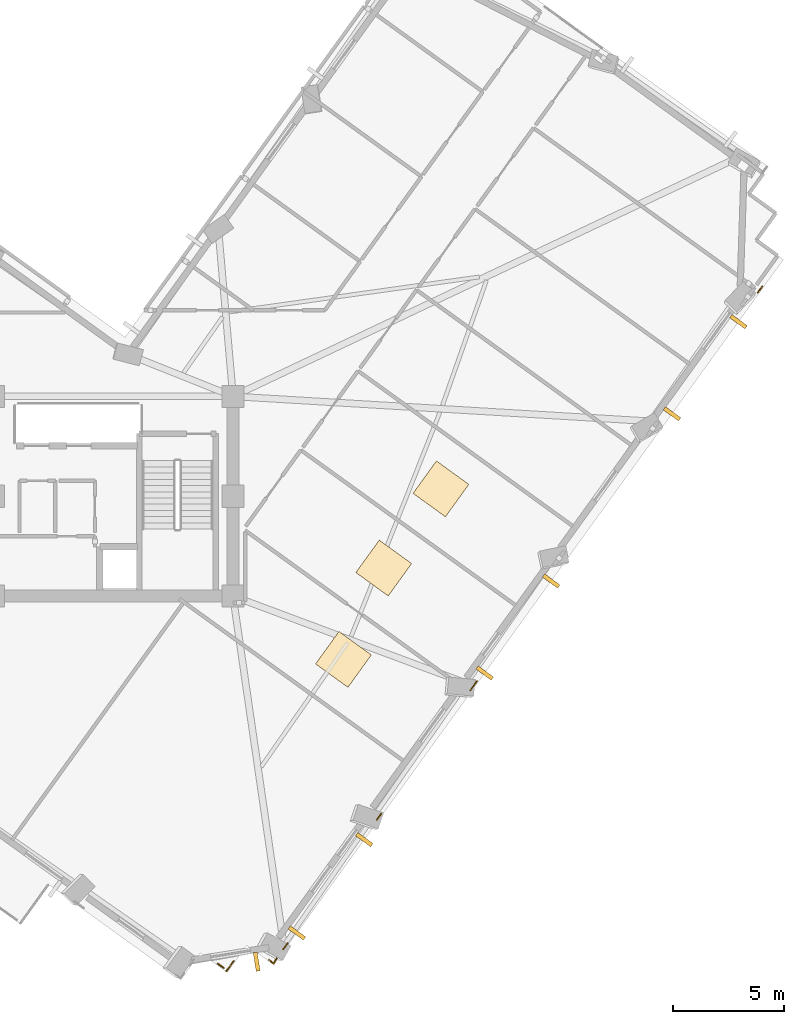
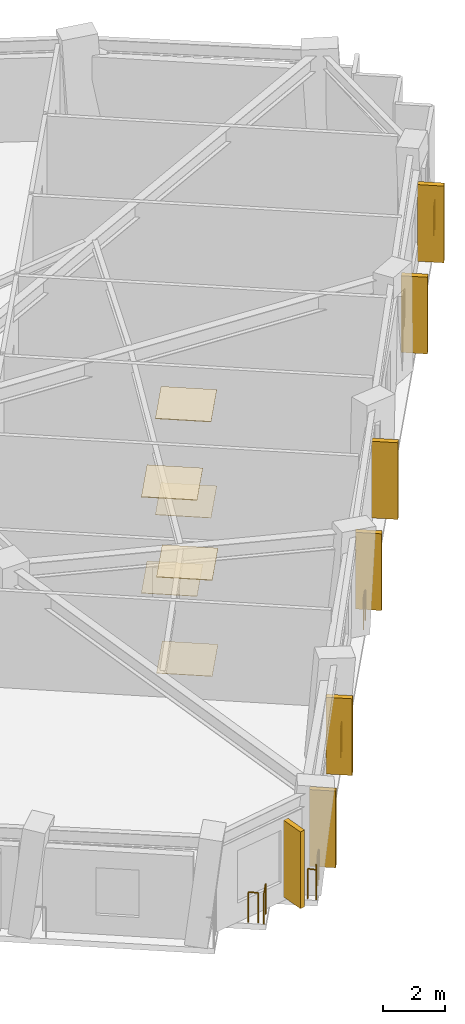
# One storey, part 11 of 13: 7 railings, 7 shading devices, 6 coverings.
"""IFC4 building model written with IfcOpenShell, lengths in metres."""

from ifc_helpers import new_model, si_unit, direction, frame, origin, origin_2d, place, context, subcontext, project, spatial, rectangle, circle, extrude, material, layer, layer_set, type_object, element, save


model = new_model("IFC4")

# Units and contexts
model_context = context("Model", 3, precision=1e-05, world=origin(), true_north=direction((0.0, 1.0)))
body_context = subcontext(model_context, "Body", "Model", "MODEL_VIEW")
ifc_project = project(units=[si_unit("LENGTHUNIT", "METRE"), si_unit("AREAUNIT", "SQUARE_METRE"), si_unit("VOLUMEUNIT", "CUBIC_METRE"), si_unit("PLANEANGLEUNIT", "RADIAN"), si_unit("MASSUNIT", "GRAM", prefix="KILO")], contexts=[model_context])

# Site, building, storey
site_placement = place(None, origin())
site = spatial("IfcSite", under=ifc_project, at=site_placement, CompositionType="ELEMENT")
building_placement = place(site_placement, origin())
building = spatial("IfcBuilding", under=site, at=building_placement, Name="Gaonmaruhae Medical Tower", CompositionType="ELEMENT")
storey_placement = place(building_placement, frame((0.0, 0.0, 255.199951171875)))
storey = spatial("IfcBuildingStorey", under=building, at=storey_placement, Name="L61", CompositionType="ELEMENT", Elevation=255.199951171875)

# Coverings
ifc_material_1 = material(Name="Acoustic mineral ceiling tile", Category="finish")
ifc_layer_1 = layer(ifc_material_1, 0.02490234375)
ifc_layer_set_1 = layer_set([ifc_layer_1], Name="Acoustic mineral ceiling tile")
covering_type_1 = type_object("IfcCoveringType", Name="CLG-01 Antimicrobial Acoustic Mineral Ceiling", PredefinedType="CEILING", material=ifc_layer_set_1)
for number, where, z_axis, x_axis, name in (
    (1, (40.575439453125, 4.948974609375, 3.755126953125), (0.0, 0.0, 1.0), (0.585665238866, 0.810553038353, 0.0), "L61 Clinical Room Acoustic Ceiling 2"),
    (2, (42.390380859375, 9.06591796875, 3.755126953125), (0.0, 0.0, 1.0), (0.585665238866, 0.810553038353, 0.0), "L61 Clinical Room Acoustic Ceiling 3"),
    (3, (44.96728515625, 12.63232421875, 3.755126953125), (0.0, 0.0, 1.0), (0.585665238866, 0.810553038353, 0.0), "L61 Clinical Room Acoustic Ceiling 4"),
):
    element("IfcCovering", number, at=place(storey_placement, frame(where, z_axis=z_axis, x_axis=x_axis)), inside=storey, type_object=covering_type_1, Name=name, PredefinedType="CEILING", context=body_context, shape_type="SweptSolid", body=[
        extrude(rectangle(XDim=1.800048828125, YDim=1.800048828125, at=origin_2d()), origin(), (0.0, 0.0, 1.0), 0.02490234375),
    ])
ifc_material_2 = material(Name="Seamless clinical vinyl flooring", Category="finish")
ifc_layer_2 = layer(ifc_material_2, 0.014892578125)
ifc_layer_set_2 = layer_set([ifc_layer_2], Name="Seamless clinical vinyl flooring")
covering_type_2 = type_object("IfcCoveringType", Name="FLR-01 Seamless Clinical Antistatic Vinyl Flooring", PredefinedType="FLOORING", material=ifc_layer_set_2)
for number, where, z_axis, x_axis, name in (
    (4, (40.575439453125, 4.948974609375, 0.0), (0.0, 0.0, 1.0), (0.585665238866, 0.810553038353, 0.0), "L61 Clinical Room Vinyl Flooring 2"),
    (5, (42.390380859375, 9.06591796875, 0.0), (0.0, 0.0, 1.0), (0.585665238866, 0.810553038353, 0.0), "L61 Clinical Room Vinyl Flooring 3"),
    (6, (44.96728515625, 12.63232421875, 0.0), (0.0, 0.0, 1.0), (0.585665238866, 0.810553038353, 0.0), "L61 Clinical Room Vinyl Flooring 4"),
):
    element("IfcCovering", number, at=place(storey_placement, frame(where, z_axis=z_axis, x_axis=x_axis)), inside=storey, type_object=covering_type_2, Name=name, PredefinedType="FLOORING", context=body_context, shape_type="SweptSolid", body=[
        extrude(rectangle(XDim=1.800048828125, YDim=1.800048828125, at=origin_2d()), origin(), (0.0, 0.0, 1.0), 0.014892578125),
    ])

# Railings
ifc_material_3 = material(Name="Stainless steel 316L and laminated safety glass", Category="steel")
ifc_layer_3 = layer(ifc_material_3, 0.080078125)
ifc_layer_set_3 = layer_set([ifc_layer_3], Name="Stainless steel 316L and laminated safety glass")
railing_type = type_object("IfcRailingType", Name="GD-120 Outdoor Terrace Safety Glass & Steel Balustrade", PredefinedType="BALUSTRADE", material=ifc_layer_set_3)
railing_1_placement = place(storey_placement, frame((59.439453125, 21.750732421875, 0.0)))
element("IfcRailing", 7, at=railing_1_placement, inside=storey, type_object=railing_type, Name="L61 Perimeter Slab Edge Safety Balustrade 06", PredefinedType="BALUSTRADE", context=body_context, shape_type="SweptSolid", body=[
    extrude(circle(Radius=0.02392578125, at=origin_2d()), frame((0.0, 0.0, 1.17578125), z_axis=(-0.58564796134, -0.810565521953, 0.0), x_axis=(0.810565521953, -0.58564796134, 0.0)), (0.0, 0.0, 1.0), 0.33984375),
    extrude(circle(Radius=0.02099609375, at=origin_2d()), origin(), (0.0, 0.0, 1.0), 1.15185546875),
    extrude(circle(Radius=0.02099609375, at=origin_2d()), frame((-0.198974609375, -0.275390625, 0.0)), (0.0, 0.0, 1.0), 1.15185546875),
])
railing_2_placement = place(storey_placement, frame((46.59130859375, 3.96923828125, 0.0)))
element("IfcRailing", 8, at=railing_2_placement, inside=storey, type_object=railing_type, Name="L61 Perimeter Slab Edge Safety Balustrade 07", PredefinedType="BALUSTRADE", context=body_context, shape_type="SweptSolid", body=[
    extrude(circle(Radius=0.02392578125, at=origin_2d()), frame((0.0, 0.0, 1.17578125), z_axis=(-0.58554202654, -0.810642051189, 0.0), x_axis=(0.810642051189, -0.58554202654, 0.0)), (0.0, 0.0, 1.0), 0.51953125),
    extrude(circle(Radius=0.02099609375, at=origin_2d()), origin(), (0.0, 0.0, 1.0), 1.15185546875),
    extrude(circle(Radius=0.02099609375, at=origin_2d()), frame((-0.30419921875, -0.421142578125, 0.0)), (0.0, 0.0, 1.0), 1.15185546875),
])
for number, where, name in (
    (9, (42.2734375, -2.006591796875, 0.0), "L61 Perimeter Slab Edge Safety Balustrade 08"),
    (10, (38.06103515625, -7.836669921875, 0.0), "L61 Perimeter Slab Edge Safety Balustrade 09"),
):
    element("IfcRailing", number, at=place(storey_placement, frame(where)), inside=storey, type_object=railing_type, Name=name, PredefinedType="BALUSTRADE", context=body_context, shape_type="SweptSolid", body=[
        extrude(circle(Radius=0.02392578125, at=origin_2d()), frame((0.0, 0.0, 1.17578125), z_axis=(-0.58564796134, -0.810565521953, 0.0), x_axis=(0.810565521953, -0.58564796134, 0.0)), (0.0, 0.0, 1.0), 0.33984375),
        extrude(circle(Radius=0.02099609375, at=origin_2d()), origin(), (0.0, 0.0, 1.0), 1.15185546875),
        extrude(circle(Radius=0.02099609375, at=origin_2d()), frame((-0.198974609375, -0.275390625, 0.0)), (0.0, 0.0, 1.0), 1.15185546875),
    ])
railing_3_placement = place(storey_placement, frame((35.627685546875, -8.643310546875, 0.0)))
element("IfcRailing", 11, at=railing_3_placement, inside=storey, type_object=railing_type, Name="L61 Perimeter Slab Edge Safety Balustrade 10", PredefinedType="BALUSTRADE", context=body_context, shape_type="SweptSolid", body=[
    extrude(circle(Radius=0.02392578125, at=origin_2d()), frame((0.0, 0.0, 1.17578125), z_axis=(-0.585601990636, -0.810598734618, 0.0), x_axis=(0.810598734618, -0.585601990636, 0.0)), (0.0, 0.0, 1.0), 0.559814453125),
    extrude(circle(Radius=0.02099609375, at=origin_2d()), origin(), (0.0, 0.0, 1.0), 1.15185546875),
    extrude(circle(Radius=0.02099609375, at=origin_2d()), frame((-0.327880859375, -0.453857421875, 0.0)), (0.0, 0.0, 1.0), 1.15185546875),
])
railing_4_placement = place(storey_placement, frame((35.180419921875, -8.94921875, 0.0)))
element("IfcRailing", 12, at=railing_4_placement, inside=storey, type_object=railing_type, Name="L61 Perimeter Slab Edge Safety Balustrade 11", PredefinedType="BALUSTRADE", context=body_context, shape_type="SweptSolid", body=[
    extrude(circle(Radius=0.02392578125, at=origin_2d()), frame((0.0, 0.0, 1.17578125), z_axis=(-0.810541313656, 0.585681465352, 0.0), x_axis=(-0.585681465352, -0.810541313656, 0.0)), (0.0, 0.0, 1.0), 0.326904296875),
    extrude(circle(Radius=0.02099609375, at=origin_2d()), origin(), (0.0, 0.0, 1.0), 1.15185546875),
    extrude(circle(Radius=0.02099609375, at=origin_2d()), frame((-0.264892578125, 0.19140625, 0.0)), (0.0, 0.0, 1.0), 1.15185546875),
])
railing_5_placement = place(storey_placement, frame((37.569580078125, -8.5166015625, 0.0)))
element("IfcRailing", 13, at=railing_5_placement, inside=storey, type_object=railing_type, Name="L61 Perimeter Corner Safety Balustrade 18", PredefinedType="BALUSTRADE", context=body_context, shape_type="SweptSolid", body=[
    extrude(circle(Radius=0.02392578125, at=origin_2d()), frame((0.0, 0.0, 1.17578125), z_axis=(-0.482245211769, -0.876036275348, 0.0), x_axis=(0.876036275348, -0.482245211769, 0.0)), (0.0, 0.0, 1.0), 0.287109375),
    extrude(circle(Radius=0.02392578125, at=origin_2d()), frame((-0.138427734375, -0.25146484375, 1.17578125), z_axis=(-0.733399258263, 0.67979815238, 0.0), x_axis=(-0.67979815238, -0.733399258263, 0.0)), (0.0, 0.0, 1.0), 0.286865234375),
    extrude(circle(Radius=0.02099609375, at=origin_2d()), origin(), (0.0, 0.0, 1.0), 1.15185546875),
    extrude(circle(Radius=0.02099609375, at=origin_2d()), frame((-0.138427734375, -0.25146484375, 0.0)), (0.0, 0.0, 1.0), 1.15185546875),
    extrude(circle(Radius=0.02099609375, at=origin_2d()), frame((-0.348876953125, -0.056396484375, 0.0)), (0.0, 0.0, 1.0), 1.15185546875),
])

# Shading devices
ifc_material_4 = material(Name="Pigmented coral precast concrete C45/55", Category="concrete")
shading_device_type = type_object("IfcShadingDeviceType", Name="SD-FIN1 Tower Vertical Coral Precast Shading Fin", PredefinedType="USERDEFINED", material=ifc_material_4)
for number, where, z_axis, x_axis, name in (
    (14, (41.513427734375, -3.16943359375, 0.132568359375), (0.0, 0.0, 1.0), (-0.585679385596, -0.810542816443, 0.0), "L61 Vertical Coral Precast Shading Fin S01"),
    (15, (38.476806640625, -7.371826171875, 0.132568359375), (0.0, 0.0, 1.0), (-0.585679385596, -0.810542816443, 0.0), "L61 Vertical Coral Precast Shading Fin S01B"),
    (16, (49.931640625, 8.481201171875, 0.132568359375), (0.0, 0.0, 1.0), (-0.585665238866, -0.810553038353, 0.0), "L61 Vertical Coral Precast Shading Fin S03"),
    (17, (46.93701171875, 4.336669921875, 0.132568359375), (0.0, 0.0, 1.0), (-0.585665238866, -0.810553038353, 0.0), "L61 Vertical Coral Precast Shading Fin S03B"),
    (18, (58.37158203125, 20.161865234375, 0.132568359375), (0.0, 0.0, 1.0), (-0.585665238866, -0.810553038353, 0.0), "L61 Vertical Coral Precast Shading Fin S05"),
    (19, (55.373779296875, 16.01318359375, 0.132568359375), (0.0, 0.0, 1.0), (-0.585665238866, -0.810553038353, 0.0), "L61 Vertical Coral Precast Shading Fin S05B"),
    (20, (36.667236328125, -8.669677734375, 0.132568359375), (0.0, 0.0, 1.0), (-0.987275411839, -0.159019688023, 0.0), "L61 Vertical Coral Precast Shading Fin W06"),
):
    element("IfcShadingDevice", number, at=place(storey_placement, frame(where, z_axis=z_axis, x_axis=x_axis)), inside=storey, type_object=shading_device_type, Name=name, ObjectType="FIN", PredefinedType="USERDEFINED", context=body_context, shape_type="SweptSolid", body=[
        extrude(rectangle(XDim=0.179931640625, YDim=0.85009765625, at=origin_2d()), origin(), (0.0, 0.0, 1.0), 3.0),
    ])

save(model, "model.ifc")
